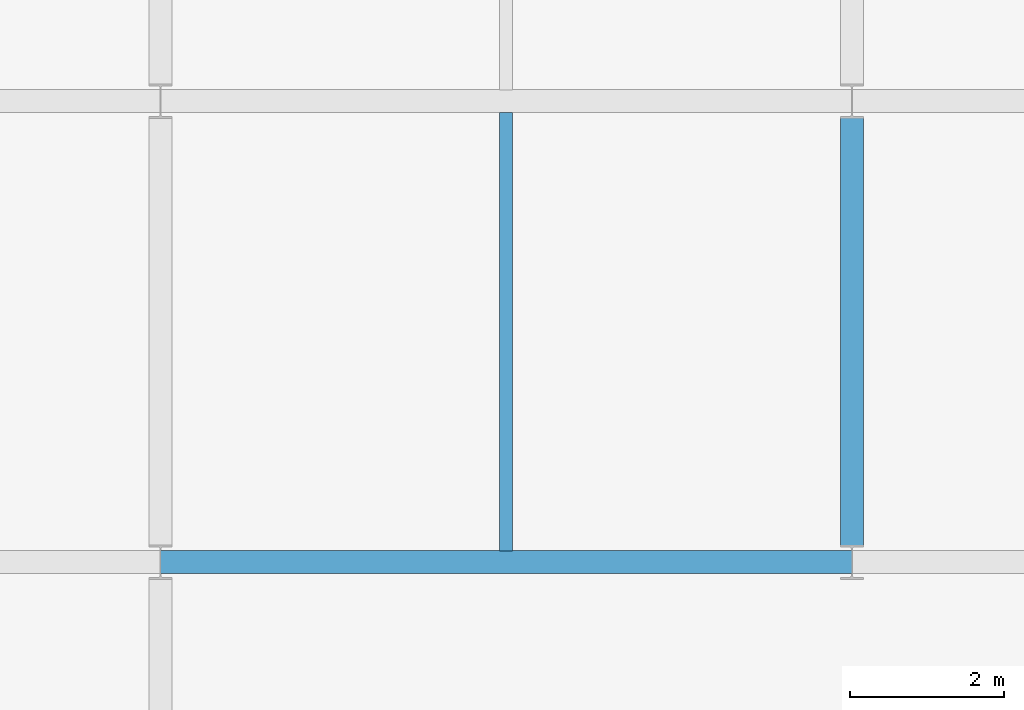
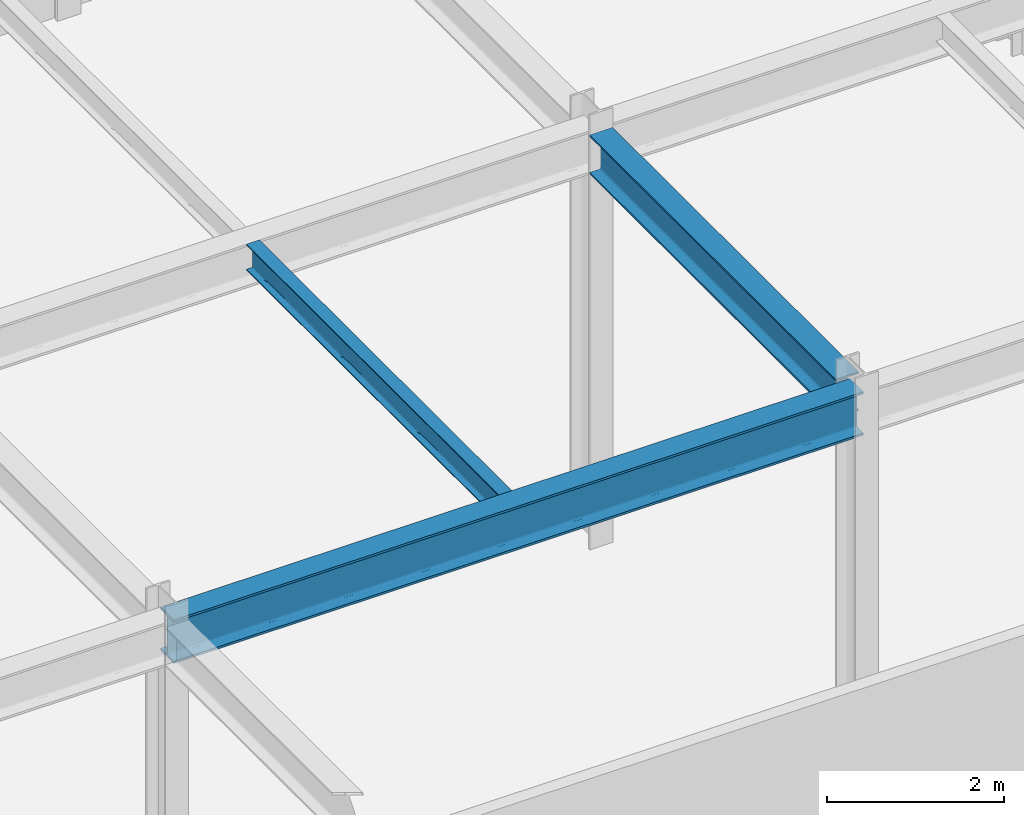
# One storey, part 37 of 146: 3 beams.
"""IFC4 building model written with IfcOpenShell, lengths in metres."""

from ifc_helpers import new_model, si_unit, direction, frame, origin, origin_2d, place, context, subcontext, project, spatial, i_section, extrude, material, material_profile, profile_set, type_object, element, save


model = new_model("IFC4")

# Units and contexts
model_context = context("Model", 3, precision=1e-05, world=origin(), true_north=direction((0.0, 1.0)))
body_context = subcontext(model_context, "Body", "Model", "MODEL_VIEW")
ifc_project = project(units=[si_unit("LENGTHUNIT", "METRE"), si_unit("AREAUNIT", "SQUARE_METRE"), si_unit("VOLUMEUNIT", "CUBIC_METRE"), si_unit("PLANEANGLEUNIT", "RADIAN"), si_unit("MASSUNIT", "GRAM", prefix="KILO")], contexts=[model_context])

# Site, building, storey
site_placement = place(None, origin())
site = spatial("IfcSite", under=ifc_project, at=site_placement, CompositionType="ELEMENT")
building_placement = place(site_placement, origin())
building = spatial("IfcBuilding", under=site, at=building_placement, Name="Kaldris Quays Convention Centre", CompositionType="ELEMENT")
storey_placement = place(building_placement, origin())
storey = spatial("IfcBuildingStorey", under=building, at=storey_placement, Name="L00", CompositionType="ELEMENT", Elevation=0.0)

# Beams
ifc_material = material(Name="Steel S355J2", Category="steel")
ifc_material_profile_1 = material_profile(ifc_material, i_section(OverallWidth=0.300048828125, OverallDepth=0.60009765625, WebThickness=0.015380859375, FlangeThickness=0.030029296875, FilletRadius=0.027099609375, at=origin_2d()), Name="HEB 600")
ifc_profile_set_1 = profile_set([ifc_material_profile_1], Name="Steel S355J2")
beam_type_1 = type_object("IfcBeamType", Name="STRUCTURAL BEAM BM05", PredefinedType="BEAM", material=ifc_profile_set_1)
beam_1_placement = place(storey_placement, frame((65.0009765625, 28.0, 5.423095703125), z_axis=(1.0, 0.0, 0.0), x_axis=(0.0, 1.0, 0.0)))
element("IfcBeam", 1, at=beam_1_placement, inside=storey, type_object=beam_type_1, Name="L00 Girder BM05 11", PredefinedType="BEAM", context=body_context, shape_type="SweptSolid", body=[
    extrude(i_section(OverallWidth=0.300048828125, OverallDepth=0.60009765625, WebThickness=0.015380859375, FlangeThickness=0.030029296875, FilletRadius=0.027099609375, at=origin_2d()), origin(), (0.0, 0.0, 1.0), 8.998046875),
])
ifc_material_profile_2 = material_profile(ifc_material, i_section(OverallWidth=0.300048828125, OverallDepth=0.5400390625, WebThickness=0.012451171875, FlangeThickness=0.02392578125, FilletRadius=0.027099609375, at=origin_2d()), Name="HEA 550")
ifc_profile_set_2 = profile_set([ifc_material_profile_2], Name="Steel S355J2")
beam_type_2 = type_object("IfcBeamType", Name="STRUCTURAL BEAM BM13", PredefinedType="BEAM", material=ifc_profile_set_2)
beam_2_placement = place(storey_placement, frame((74.0, 28.218994140625, 5.452880859375), z_axis=(0.0, 1.0, 0.0), x_axis=(-1.0, 0.0, 0.0)))
element("IfcBeam", 2, at=beam_2_placement, inside=storey, type_object=beam_type_2, Name="L00 Girder BM13 42", PredefinedType="BEAM", context=body_context, shape_type="SweptSolid", body=[
    extrude(i_section(OverallWidth=0.300048828125, OverallDepth=0.5400390625, WebThickness=0.012451171875, FlangeThickness=0.02392578125, FilletRadius=0.027099609375, at=origin_2d()), origin(), (0.0, 0.0, 1.0), 5.56201171875),
])
ifc_material_profile_3 = material_profile(ifc_material, i_section(OverallWidth=0.169921875, OverallDepth=0.360107421875, WebThickness=0.008056640625, FlangeThickness=0.0126953125, FilletRadius=0.01806640625, at=origin_2d()), Name="IPE 360")
ifc_profile_set_3 = profile_set([ifc_material_profile_3], Name="Steel S355J2")
beam_type_3 = type_object("IfcBeamType", Name="STRUCTURAL BEAM JT03", PredefinedType="JOIST", material=ifc_profile_set_3)
beam_3_placement = place(storey_placement, frame((69.5, 28.14404296875, 5.54296875), z_axis=(0.0, 1.0, 0.0), x_axis=(-1.0, 0.0, 0.0)))
element("IfcBeam", 3, at=beam_3_placement, inside=storey, type_object=beam_type_3, Name="L00 Secondary Joist JT03 6", PredefinedType="JOIST", context=body_context, shape_type="SweptSolid", body=[
    extrude(i_section(OverallWidth=0.169921875, OverallDepth=0.360107421875, WebThickness=0.008056640625, FlangeThickness=0.0126953125, FilletRadius=0.01806640625, at=origin_2d()), origin(), (0.0, 0.0, 1.0), 5.7119140625),
])

save(model, "model.ifc")
